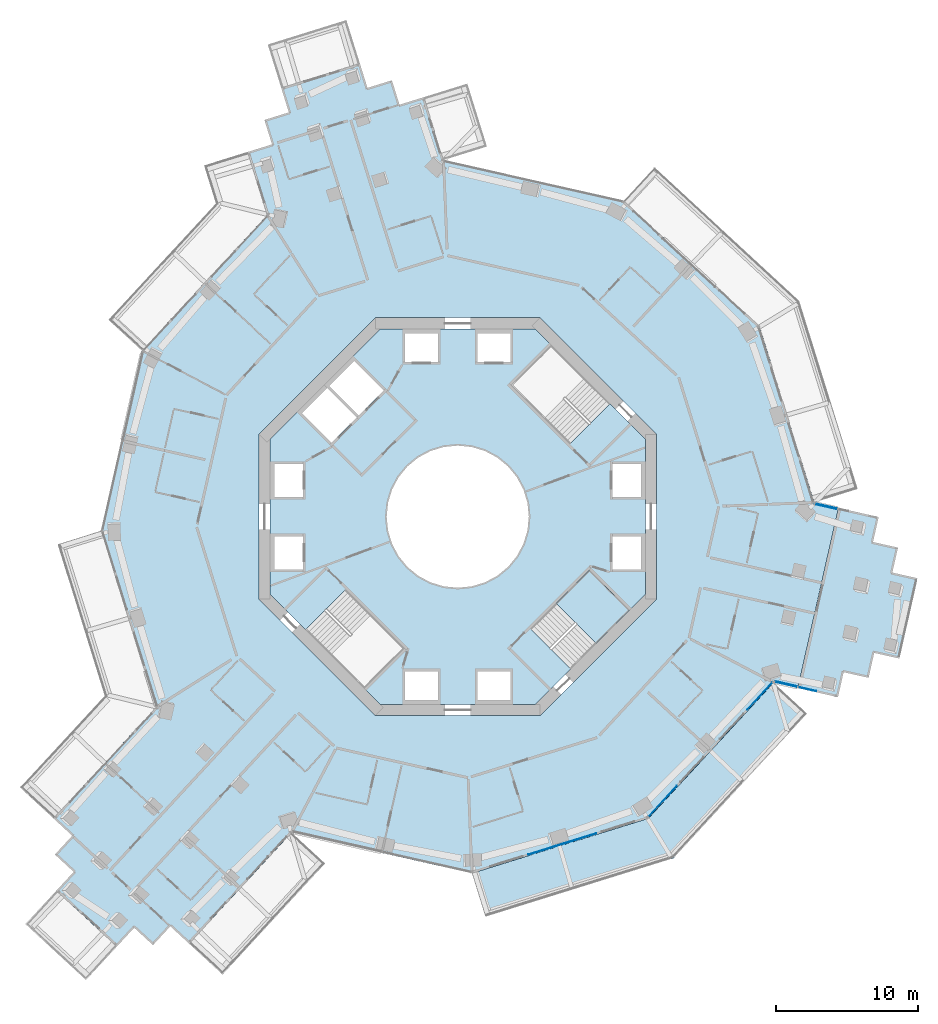
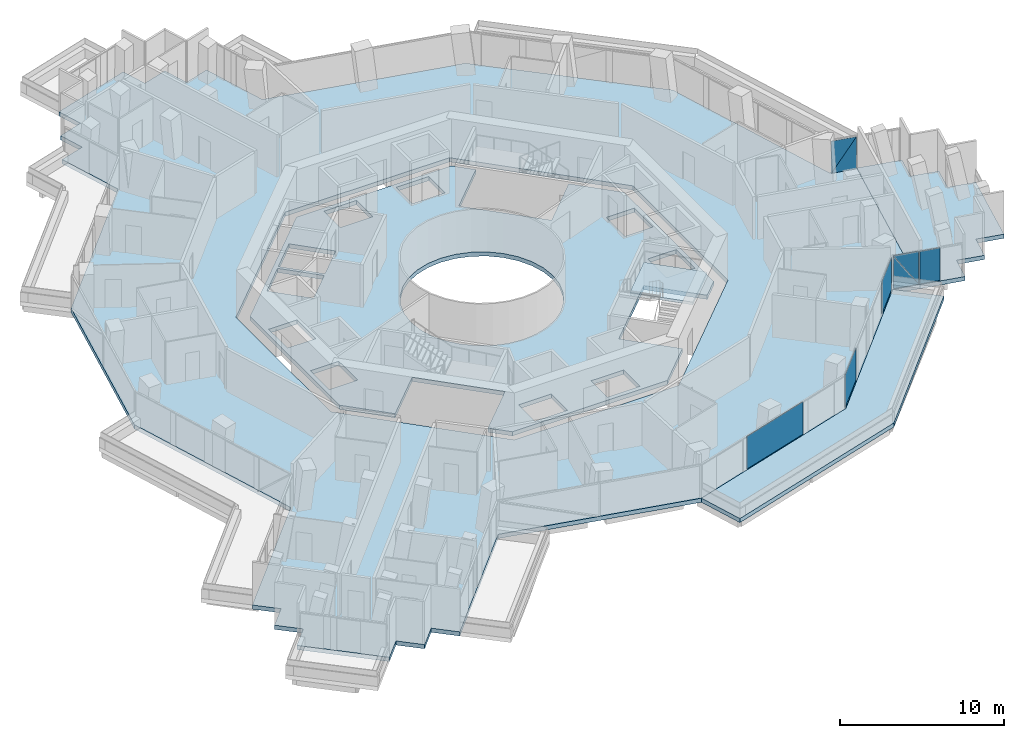
# One storey, part 13 of 25: 8 plates, 5 slabs, 5 elements without a shape of their own.
"""IFC4 building model written with IfcOpenShell, lengths in metres."""

import ifcopenshell
import ifcopenshell.guid

model = None  # the IFC model being written
_history = None  # IfcOwnerHistory: only IFC2X3 demands one
_inside = {}  # id of a spatial element -> (the spatial element, [elements in it])
_under = {}  # id of a project, library or spatial element -> (it, [spatial elements below it])
_declared = {}  # id of a project -> (the project, [libraries it declares])
_typed = {}  # id of a type object -> (the type object, [elements of that type])
_made_of = {}  # id of a material, layer set ... -> (it, [elements and type objects made of it])


def new_model(schema):
    """Start an empty IFC model of exactly this schema.

    Asked for "IFC4X3", IfcOpenShell would pick the latest addendum, in which some entities
    have other attributes; the version numbers below select the first issue.
    IFC2X3 requires an IfcOwnerHistory on every rooted entity: one is made here for all.
    """
    global model, _history
    if schema == "IFC4X3":
        model = ifcopenshell.file(schema_version=(4, 3, 0, 0))
    else:
        model = ifcopenshell.file(schema=schema)
    _inside.clear()
    _under.clear()
    _declared.clear()
    _typed.clear()
    _made_of.clear()
    _history = None
    if model.schema == "IFC2X3":
        org = make("IfcOrganization", Name="unknown")
        user = make(
            "IfcPersonAndOrganization",
            ThePerson=make("IfcPerson", FamilyName="unknown"),
            TheOrganization=org,
        )
        app = make(
            "IfcApplication",
            ApplicationDeveloper=org,
            Version="unknown",
            ApplicationFullName="unknown",
            ApplicationIdentifier="unknown",
        )
        _history = make(
            "IfcOwnerHistory",
            OwningUser=user,
            OwningApplication=app,
            ChangeAction="ADDED",
            CreationDate=0,
        )
    return model


def make(cls, **values):
    """One entity of the class cls with the attributes given. An attribute that is None is left unset."""
    return model.create_entity(
        cls, **{name: value for name, value in values.items() if value is not None}
    )


def rooted(cls, **values):
    """An entity with a GlobalId (a new one), such as an element, a storey or a relation."""
    return make(cls, GlobalId=ifcopenshell.guid.new(), OwnerHistory=_history, **values)


def si_unit(unit_type, name, prefix=None):
    """IfcSIUnit, for example si_unit("LENGTHUNIT", "METRE", prefix="MILLI")."""
    return make("IfcSIUnit", UnitType=unit_type, Prefix=prefix, Name=name)


def assignment(units):
    """IfcUnitAssignment: the units of a project."""
    return None if units is None else make("IfcUnitAssignment", Units=units)


def point(xyz):
    """IfcCartesianPoint."""
    return None if xyz is None else make("IfcCartesianPoint", Coordinates=xyz)


def direction(xyz):
    """IfcDirection."""
    return None if xyz is None else make("IfcDirection", DirectionRatios=xyz)


def frame(location, z_axis=None, x_axis=None):
    """IfcAxis2Placement3D, a coordinate frame: its origin and axes. An axis left out is left unset."""
    return make(
        "IfcAxis2Placement3D",
        Location=point(location),
        Axis=direction(z_axis),
        RefDirection=direction(x_axis),
    )


def frame_2d(location, x_axis=None):
    """IfcAxis2Placement2D, a coordinate frame in the plane: its origin and x axis."""
    return make(
        "IfcAxis2Placement2D", Location=point(location), RefDirection=direction(x_axis)
    )


def origin():
    """The frame at (0, 0, 0) with its axes left unset."""
    return frame((0.0, 0.0, 0.0))


def origin_2d():
    """The frame at (0, 0) in the plane with its x axis left unset."""
    return frame_2d((0.0, 0.0))


def place(relative_to, where):
    """IfcLocalPlacement: puts the frame where relative to a parent placement (None: the world)."""
    return make(
        "IfcLocalPlacement", PlacementRelTo=relative_to, RelativePlacement=where
    )


def context(
    kind, dimensions, precision=None, world=None, true_north=None, identifier=None
):
    """IfcGeometricRepresentationContext, for example the 3D "Model" context."""
    return make(
        "IfcGeometricRepresentationContext",
        ContextIdentifier=identifier,
        ContextType=kind,
        CoordinateSpaceDimension=dimensions,
        Precision=precision,
        WorldCoordinateSystem=world,
        TrueNorth=true_north,
    )


def subcontext(parent, identifier, kind, view, scale=None):
    """IfcGeometricRepresentationSubContext, for example "Body" below "Model"."""
    return make(
        "IfcGeometricRepresentationSubContext",
        ContextIdentifier=identifier,
        ContextType=kind,
        ParentContext=parent,
        TargetScale=scale,
        TargetView=view,
    )


def project(units=None, contexts=None):
    """IfcProject with its units and contexts."""
    return rooted(
        "IfcProject",
        Name="project",
        RepresentationContexts=contexts,
        UnitsInContext=assignment(units),
    )


def spatial(cls, under=None, at=None, **own):
    """A site, building, storey or space (cls), placed at a placement, below another one or the project."""
    s = rooted(cls, ObjectPlacement=at, **own)
    if under is not None:
        _under.setdefault(under.id(), (under, []))[1].append(s)
    return s


def polyline(points):
    """IfcPolyline through the points."""
    return make("IfcPolyline", Points=[point(p) for p in points])


def profile(cls, at=None, kind="AREA", **sizes):
    """A parametric profile (cls). Its sizes go by their IFC names, for example OverallWidth=200.0."""
    return make(cls, ProfileType=kind, Position=at, **sizes)


def rectangle(**sizes):
    """IfcRectangleProfileDef."""
    return profile("IfcRectangleProfileDef", **sizes)


def outline(outer, holes=None, kind="AREA"):
    """IfcArbitraryClosedProfileDef: a profile drawn as a closed curve; with holes, ...WithVoids."""
    if holes is None:
        return make("IfcArbitraryClosedProfileDef", ProfileType=kind, OuterCurve=outer)
    return make(
        "IfcArbitraryProfileDefWithVoids",
        ProfileType=kind,
        OuterCurve=outer,
        InnerCurves=holes,
    )


def extrude(swept, where, along, depth):
    """IfcExtrudedAreaSolid: the profile swept, set in the frame where, extruded along a direction by depth."""
    return make(
        "IfcExtrudedAreaSolid",
        SweptArea=swept,
        Position=where,
        ExtrudedDirection=direction(along),
        Depth=depth,
    )


def shape(context_of_items, identifier, shape_type, items):
    """IfcShapeRepresentation: the items that make up one representation, for example the "Body"."""
    return make(
        "IfcShapeRepresentation",
        ContextOfItems=context_of_items,
        RepresentationIdentifier=identifier,
        RepresentationType=shape_type,
        Items=items,
    )


def material(Name=None, Category=None):
    """IfcMaterial."""
    return make("IfcMaterial", Name=Name, Category=Category)


def layer(
    of_material, thickness, ventilated=None, Name=None, Category=None, Priority=None
):
    """IfcMaterialLayer: one layer of a wall or slab, of a material (None: an air gap)."""
    return make(
        "IfcMaterialLayer",
        Material=of_material,
        LayerThickness=thickness,
        IsVentilated=ventilated,
        Name=Name,
        Category=Category,
        Priority=Priority,
    )


def layer_set(layers, Name=None):
    """IfcMaterialLayerSet."""
    return make("IfcMaterialLayerSet", MaterialLayers=layers, LayerSetName=Name)


def made_of(thing, what):
    """Note that an element or type object is made of a material, layer set ...; save() writes the relation."""
    if what is not None:
        _made_of.setdefault(what.id(), (what, []))[1].append(thing)
    return thing


def type_object(cls, material=None, **own):
    """A type object (cls), such as IfcWallType, which elements share."""
    return made_of(rooted(cls, **own), material)


def element(
    cls,
    number,
    at=None,
    inside=None,
    cuts=None,
    type_object=None,
    material=None,
    context=None,
    identifier="Body",
    shape_type=None,
    held_by="IfcProductDefinitionShape",
    body=None,
    shapes=None,
    **own,
):
    """One element of the class cls, such as IfcWall. Its Tag is "e" and its number.

    at: its placement. inside: the storey or other place that contains it. cuts: it is an
    opening in that element (IfcRelVoidsElement). A single representation is given by context,
    identifier, shape_type and body (its items); several are given by shapes. held_by: the class
    of the entity that holds the representations. save() writes the other relations.
    """
    e = rooted(cls, Tag="e%d" % number, ObjectPlacement=at, **own)
    if body is not None:
        shapes = [shape(context, identifier, shape_type, body)]
    if shapes is not None:
        e.Representation = make(held_by, Representations=shapes)
    if inside is not None:
        _inside.setdefault(inside.id(), (inside, []))[1].append(e)
    if cuts is not None:
        rooted(
            "IfcRelVoidsElement", RelatingBuildingElement=cuts, RelatedOpeningElement=e
        )
    if type_object is not None:
        _typed.setdefault(type_object.id(), (type_object, []))[1].append(e)
    return made_of(e, material)


def aggregate(whole, parts):
    """IfcRelAggregates: a whole, such as a stair, and the parts it consists of."""
    return rooted("IfcRelAggregates", RelatingObject=whole, RelatedObjects=parts)


def save(model, path):
    """Write the relations noted so far, then the file.

    IfcRelAggregates (storeys below a building ...), IfcRelContainedInSpatialStructure (elements
    in a storey), IfcRelDefinesByType, IfcRelAssociatesMaterial and IfcRelDeclares: one each for
    every whole, place, type object, material and project.
    """
    for whole, parts in _under.values():
        aggregate(whole, parts)
    for where, things in _inside.values():
        rooted(
            "IfcRelContainedInSpatialStructure",
            RelatedElements=things,
            RelatingStructure=where,
        )
    for kind, things in _typed.values():
        rooted("IfcRelDefinesByType", RelatedObjects=things, RelatingType=kind)
    for what, things in _made_of.values():
        rooted("IfcRelAssociatesMaterial", RelatedObjects=things, RelatingMaterial=what)
    for by, libraries in _declared.values():
        rooted("IfcRelDeclares", RelatingContext=by, RelatedDefinitions=libraries)
    model.write(path)


model = new_model("IFC4")

# Units and contexts
model_context = context("Model", 3, precision=1e-05, world=origin(), true_north=direction((0.0, 1.0)))
body_context = subcontext(model_context, "Body", "Model", "MODEL_VIEW")
ifc_project = project(units=[si_unit("LENGTHUNIT", "METRE"), si_unit("AREAUNIT", "SQUARE_METRE"), si_unit("VOLUMEUNIT", "CUBIC_METRE"), si_unit("PLANEANGLEUNIT", "RADIAN"), si_unit("MASSUNIT", "GRAM", prefix="KILO")], contexts=[model_context])

# Site, building, storey
site_placement = place(None, origin())
site = spatial("IfcSite", under=ifc_project, at=site_placement, CompositionType="ELEMENT")
building_placement = place(site_placement, origin())
building = spatial("IfcBuilding", under=site, at=building_placement, Name="Verdalira Terraces Hotel", CompositionType="ELEMENT")
storey_placement = place(building_placement, frame((0.0, 0.0, 103.5)))
storey = spatial("IfcBuildingStorey", under=building, at=storey_placement, Name="L24", CompositionType="ELEMENT", Elevation=103.5)

# Slab
ifc_material_1 = material(Name="Precast concrete C40/50", Category="concrete")
ifc_layer_1 = layer(ifc_material_1, 0.31005859375)
ifc_layer_set_1 = layer_set([ifc_layer_1], Name="Balcony deck 310")
slab_type_1 = type_object("IfcSlabType", Name="Balcony deck 310", PredefinedType="FLOOR", material=ifc_layer_set_1)
slab_1_placement = place(storey_placement, frame((0.0, 0.0, -0.310059)))
element("IfcSlab", 1, at=slab_1_placement, inside=storey, type_object=slab_type_1, Name="Balcony deck", PredefinedType="FLOOR", context=body_context, shape_type="SweptSolid", body=[
    extrude(outline(polyline([(24.582764, -13.852783), (22.231689, -11.681885), (13.412354, -21.232666), (0.999023, -25.094238), (1.949707, -28.149658), (15.181641, -24.033447), (24.582764, -13.852783)])), origin(), (0.0, 0.0, 1.0), 0.310059),
])

# Curtain wall, plate
ifc_material_2 = material(Name="Clear glass", Category="glass")
ifc_layer_2 = layer(ifc_material_2, 0.14990234375)
ifc_layer_set_2 = layer_set([ifc_layer_2], Name="CW1 curtain wall")
curtain_wall_type_1 = type_object("IfcCurtainWallType", Name="CW1 curtain wall", PredefinedType="NOTDEFINED", material=ifc_layer_set_2)
curtain_wall_1_placement = place(storey_placement, origin())
curtain_wall_1 = element("IfcCurtainWall", 2, at=curtain_wall_1_placement, inside=storey, type_object=curtain_wall_type_1, Name="CW1 curtain wall L24 edge 26", PredefinedType="NOTDEFINED")
ifc_material_3 = material(Name="Clear glass", Category="glass")
ifc_layer_3 = layer(ifc_material_3, 0.028076171875)
ifc_layer_set_3 = layer_set([ifc_layer_3], Name="CW1 glass unit 28")
plate_type_1 = type_object("IfcPlateType", Name="CW1 glass unit 28", PredefinedType="CURTAIN_PANEL", material=ifc_layer_set_3)
plate_1_placement = place(storey_placement, frame((7.354248, -23.038574, 0.0), z_axis=(0.0, 0.0, 1.0), x_axis=(0.954864545, 0.297041582, 0.0)))
plate_1 = element("IfcPlate", 3, at=plate_1_placement, type_object=plate_type_1, Name="CW1 glass unit", PredefinedType="CURTAIN_PANEL", context=body_context, shape_type="SweptSolid", body=[
    extrude(rectangle(XDim=5.021729, YDim=0.028076, at=origin_2d()), origin(), (0.0, 0.0, 1.0), 2.425049),
])
aggregate(curtain_wall_1, [plate_1])

# Curtain wall, plates
curtain_wall_2_placement = place(storey_placement, origin())
curtain_wall_2 = element("IfcCurtainWall", 4, at=curtain_wall_2_placement, inside=storey, type_object=curtain_wall_type_1, Name="CW1 curtain wall L24 edge 27", PredefinedType="NOTDEFINED")
plate_2_placement = place(storey_placement, frame((14.417236, -20.033691, 0.0), z_axis=(0.0, 0.0, 1.0), x_axis=(0.678416162, 0.734677828, 0.0)))
plate_2 = element("IfcPlate", 5, at=plate_2_placement, type_object=plate_type_1, Name="CW1 glass unit", PredefinedType="CURTAIN_PANEL", context=body_context, shape_type="SweptSolid", body=[
    extrude(rectangle(XDim=2.924805, YDim=0.028076, at=origin_2d()), origin(), (0.0, 0.0, 1.0), 2.425049),
])
plate_3_placement = place(storey_placement, frame((21.252441, -12.631836, 0.0), z_axis=(0.0, 0.0, 1.0), x_axis=(0.678416162, 0.734677828, 0.0)))
plate_3 = element("IfcPlate", 6, at=plate_3_placement, type_object=plate_type_1, Name="CW1 glass unit", PredefinedType="CURTAIN_PANEL", context=body_context, shape_type="SweptSolid", body=[
    extrude(rectangle(XDim=2.604492, YDim=0.028076, at=origin_2d()), origin(), (0.0, 0.0, 1.0), 2.425049),
])
aggregate(curtain_wall_2, [plate_2, plate_3])

ifc_material_4 = material(Name="Clear glass", Category="glass")
ifc_layer_4 = layer(ifc_material_4, 0.14990234375)
ifc_layer_set_4 = layer_set([ifc_layer_4], Name="CW2 curtain wall")
curtain_wall_type_2 = type_object("IfcCurtainWallType", Name="CW2 curtain wall", PredefinedType="NOTDEFINED", material=ifc_layer_set_4)
curtain_wall_3_placement = place(storey_placement, origin())
curtain_wall_3 = element("IfcCurtainWall", 7, at=curtain_wall_3_placement, inside=storey, type_object=curtain_wall_type_2, Name="CW2 curtain wall L24 edge 28", PredefinedType="NOTDEFINED")
ifc_material_5 = material(Name="Clear glass", Category="glass")
ifc_layer_5 = layer(ifc_material_5, 0.031982421875)
ifc_layer_set_5 = layer_set([ifc_layer_5], Name="CW2 glass unit 32")
plate_type_2 = type_object("IfcPlateType", Name="CW2 glass unit 32", PredefinedType="CURTAIN_PANEL", material=ifc_layer_set_5)
plate_4_placement = place(storey_placement, frame((23.108398, -11.786377, 1.212402), z_axis=(-0.220186717, -0.975457744, 0.0), x_axis=(0.975457744, -0.220186717, 0.0)))
plate_4 = element("IfcPlate", 8, at=plate_4_placement, type_object=plate_type_2, Name="CW2 glass unit", PredefinedType="CURTAIN_PANEL", context=body_context, shape_type="SweptSolid", body=[
    extrude(outline(polyline([(-0.80835, -1.212402), (0.80835, -1.212402), (-0.80835, 1.212402), (-0.80835, -1.212402)])), origin(), (0.0, 0.0, 1.0), 0.031982),
])
plate_5_placement = place(storey_placement, frame((23.115723, -11.75415, 1.212402), z_axis=(-0.220186717, -0.975457744, 0.0), x_axis=(0.975457744, -0.220186717, 0.0)))
plate_5 = element("IfcPlate", 9, at=plate_5_placement, type_object=plate_type_2, Name="CW2 glass unit", PredefinedType="CURTAIN_PANEL", context=body_context, shape_type="SweptSolid", body=[
    extrude(outline(polyline([(0.80835, -1.212402), (0.80835, 1.212402), (-0.80835, 1.212402), (0.80835, -1.212402)])), origin(), (0.0, 0.0, 1.0), 0.031982),
])
plate_6_placement = place(storey_placement, frame((24.592773, -12.137939, 0.0), z_axis=(0.0, 0.0, 1.0), x_axis=(0.975457744, -0.220186717, 0.0)))
plate_6 = element("IfcPlate", 10, at=plate_6_placement, type_object=plate_type_2, Name="CW2 glass unit", PredefinedType="CURTAIN_PANEL", context=body_context, shape_type="SweptSolid", body=[
    extrude(rectangle(XDim=1.293457, YDim=0.031982, at=origin_2d()), origin(), (0.0, 0.0, 1.0), 2.425049),
])
aggregate(curtain_wall_3, [plate_4, plate_5, plate_6])

curtain_wall_4_placement = place(storey_placement, origin())
curtain_wall_4 = element("IfcCurtainWall", 11, at=curtain_wall_4_placement, inside=storey, type_object=curtain_wall_type_2, Name="CW2 curtain wall L24 edge 38", PredefinedType="NOTDEFINED")
plate_7_placement = place(storey_placement, frame((25.931152, 0.717041, 1.212402), z_axis=(0.220186717, 0.975457744, 0.0), x_axis=(-0.975457744, 0.220186717, 0.0)))
plate_7 = element("IfcPlate", 12, at=plate_7_placement, type_object=plate_type_2, Name="CW2 glass unit", PredefinedType="CURTAIN_PANEL", context=body_context, shape_type="SweptSolid", body=[
    extrude(outline(polyline([(-0.80835, -1.212402), (0.80835, -1.212402), (-0.80835, 1.212402), (-0.80835, -1.212402)])), origin(), (0.0, 0.0, 1.0), 0.031982),
])
plate_8_placement = place(storey_placement, frame((25.923828, 0.684814, 1.212402), z_axis=(0.220186717, 0.975457744, 0.0), x_axis=(-0.975457744, 0.220186717, 0.0)))
plate_8 = element("IfcPlate", 13, at=plate_8_placement, type_object=plate_type_2, Name="CW2 glass unit", PredefinedType="CURTAIN_PANEL", context=body_context, shape_type="SweptSolid", body=[
    extrude(outline(polyline([(0.80835, -1.212402), (0.80835, 1.212402), (-0.80835, 1.212402), (0.80835, -1.212402)])), origin(), (0.0, 0.0, 1.0), 0.031982),
])
aggregate(curtain_wall_4, [plate_7, plate_8])

# Slab
ifc_material_6 = material(Name="Concrete C40", Category="concrete")
ifc_layer_6 = layer(ifc_material_6, 0.31005859375)
ifc_layer_set_6 = layer_set([ifc_layer_6], Name="Core floor slab 310 mm")
slab_type_2 = type_object("IfcSlabType", Name="Core floor slab 310 mm", PredefinedType="FLOOR", material=ifc_layer_set_6)
slab_2_placement = place(storey_placement, frame((0.0, 0.0, -0.310059)))
element("IfcSlab", 14, at=slab_2_placement, inside=storey, type_object=slab_type_2, Name="L24 core floor", PredefinedType="FLOOR", context=body_context, shape_type="SweptSolid", body=[
    extrude(outline(polyline([(-5.467529, 13.199951), (5.467529, 13.199951), (6.562012, 12.105713), (3.719482, 9.263184), (7.869629, 5.112793), (10.712402, 7.955322), (13.199951, 5.467529), (13.199951, -5.467529), (12.105713, -6.562012), (9.263184, -3.719482), (5.112793, -7.869629), (7.955322, -10.712402), (5.467529, -13.199951), (-5.467529, -13.199951), (-6.562012, -12.105713), (-3.719482, -9.263184), (-7.869629, -5.112793), (-10.712402, -7.955322), (-13.199951, -5.467529), (-13.199951, 5.467529), (-5.467529, 13.199951)]), holes=[polyline([(12.899902, -3.699951), (12.899902, -1.399902), (10.899902, -1.399902), (10.899902, -3.699951), (12.899902, -3.699951)]), polyline([(12.899902, 1.399902), (12.899902, 3.699951), (10.899902, 3.699951), (10.899902, 1.399902), (12.899902, 1.399902)]), polyline([(1.399902, 10.899902), (3.699951, 10.899902), (3.699951, 12.899902), (1.399902, 12.899902), (1.399902, 10.899902)]), polyline([(-3.699951, 10.899902), (-1.399902, 10.899902), (-1.399902, 12.899902), (-3.699951, 12.899902), (-3.699951, 10.899902)]), polyline([(-12.899902, 3.699951), (-12.899902, 1.399902), (-10.899902, 1.399902), (-10.899902, 3.699951), (-12.899902, 3.699951)]), polyline([(-12.899902, -1.399902), (-12.899902, -3.699951), (-10.899902, -3.699951), (-10.899902, -1.399902), (-12.899902, -1.399902)]), polyline([(-1.399902, -10.899902), (-3.699951, -10.899902), (-3.699951, -12.899902), (-1.399902, -12.899902), (-1.399902, -10.899902)]), polyline([(3.699951, -10.899902), (1.399902, -10.899902), (1.399902, -12.899902), (3.699951, -12.899902), (3.699951, -10.899902)]), polyline([(-9.051025, 9.192383), (-6.965088, 7.106445), (-5.197266, 8.874268), (-7.283203, 10.960205), (-9.051025, 9.192383)]), polyline([(-9.192383, 9.051025), (-10.960205, 7.283203), (-8.874268, 5.197266), (-7.106445, 6.965088), (-9.192383, 9.051025)]), polyline([(3.5354, 3.5354), (2.777832, 4.157227), (1.91333, 4.619385), (0.975586, 4.903809), (0.0, 5.0), (-0.975586, 4.903809), (-1.91333, 4.619385), (-2.777832, 4.157227), (-3.5354, 3.5354), (-4.157227, 2.777832), (-4.619385, 1.91333), (-4.903809, 0.975586), (-5.0, 0.0), (-4.903809, -0.975586), (-4.619385, -1.91333), (-4.157227, -2.777832), (-3.5354, -3.5354), (-2.777832, -4.157227), (-1.91333, -4.619385), (-0.975586, -4.903809), (0.0, -5.0), (0.975586, -4.903809), (1.91333, -4.619385), (2.777832, -4.157227), (3.5354, -3.5354), (4.157227, -2.777832), (4.619385, -1.91333), (4.903809, -0.975586), (5.0, 0.0), (4.903809, 0.975586), (4.619385, 1.91333), (4.157227, 2.777832), (3.5354, 3.5354)])]), origin(), (0.0, 0.0, 1.0), 0.310059),
])

# Stair, slab
ifc_material_7 = material(Name="Concrete C40", Category="concrete")
stair_type = type_object("IfcStairType", Name="Core stair 20 risers 1950 mm wide", PredefinedType="HALF_TURN_STAIR", material=ifc_material_7)
stair_placement = place(storey_placement, origin())
stair = element("IfcStair", 15, at=stair_placement, inside=storey, type_object=stair_type, Name="L24 Exit stair ST3", PredefinedType="HALF_TURN_STAIR")
ifc_material_8 = material(Name="Concrete C40", Category="concrete")
ifc_layer_7 = layer(ifc_material_8, 0.199951171875)
ifc_layer_set_7 = layer_set([ifc_layer_7], Name="Core stair landing 200 mm")
slab_type_3 = type_object("IfcSlabType", Name="Core stair landing 200 mm", PredefinedType="LANDING", material=ifc_layer_set_7)
slab_3_placement = place(storey_placement, frame((0.0, 0.0, 1.550049)))
slab_3 = element("IfcSlab", 16, at=slab_3_placement, type_object=slab_type_3, Name="ST3 landing 1", PredefinedType="LANDING", context=body_context, shape_type="SweptSolid", body=[
    extrude(outline(polyline([(9.736572, -8.931152), (12.091553, -6.576172), (9.263184, -3.747559), (6.907959, -6.102783), (9.736572, -8.931152)])), origin(), (0.0, 0.0, 1.0), 0.199951),
])
aggregate(stair, [slab_3])

# Slabs
ifc_material_9 = material(Name="Concrete C40", Category="concrete")
ifc_layer_8 = layer(ifc_material_9, 0.31005859375)
ifc_layer_set_8 = layer_set([ifc_layer_8], Name="Floor slab 310 C40")
slab_type_4 = type_object("IfcSlabType", Name="Floor slab 310 C40", PredefinedType="FLOOR", material=ifc_layer_set_8)
slab_4_placement = place(storey_placement, frame((0.0, 0.0, -0.310059)))
element("IfcSlab", 17, at=slab_4_placement, inside=storey, type_object=slab_type_4, Name="Floor slab L24", PredefinedType="FLOOR", context=body_context, shape_type="SweptSolid", body=[
    extrude(outline(polyline([(13.412354, -21.232666), (22.231689, -11.681885), (23.930176, -12.065186), (26.79248, 0.615723), (25.094238, 0.999023), (21.232666, 13.412354), (11.681885, 22.231689), (-0.999023, 25.094238), (-2.37793, 29.526367), (-4.09668, 28.991699), (-4.631348, 30.710449), (-6.350098, 30.175781), (-6.884766, 31.894531), (-12.423096, 30.171631), (-11.888184, 28.452881), (-13.606934, 27.918213), (-13.07251, 26.199463), (-14.791016, 25.664795), (-13.412354, 21.232666), (-22.231689, 11.681885), (-25.094238, -0.999023), (-21.232666, -13.412354), (-28.452148, -21.230713), (-27.129639, -22.45166), (-28.35083, -23.77417), (-27.02832, -24.995361), (-28.249512, -26.317627), (-23.988525, -30.252441), (-22.767334, -28.930176), (-21.444824, -30.151123), (-20.223633, -28.828857), (-18.901367, -30.050049), (-11.681885, -22.231689), (0.999023, -25.094238), (13.412354, -21.232666)]), holes=[polyline([(5.799072, 14.0), (14.0, 5.799072), (14.0, -5.799072), (5.799072, -14.0), (-5.799072, -14.0), (-14.0, -5.799072), (-14.0, 5.799072), (-5.799072, 14.0), (5.799072, 14.0)])]), origin(), (0.0, 0.0, 1.0), 0.310059),
])
ifc_material_10 = material(Name="Concrete C40", Category="concrete")
ifc_layer_9 = layer(ifc_material_10, 0.31005859375)
ifc_layer_set_9 = layer_set([ifc_layer_9], Name="Loggia floor deck 310 C40")
slab_type_5 = type_object("IfcSlabType", Name="Loggia floor deck 310 C40", PredefinedType="FLOOR", material=ifc_layer_set_9)
slab_5_placement = place(storey_placement, frame((0.0, 0.0, -0.310059)))
element("IfcSlab", 18, at=slab_5_placement, inside=storey, type_object=slab_type_5, Name="Loggia deck L24", PredefinedType="FLOOR", context=body_context, shape_type="SweptSolid", body=[
    extrude(outline(polyline([(29.621826, -0.022949), (26.793213, 0.615479), (23.930664, -12.065186), (26.759521, -12.703857), (27.156006, -10.947998), (28.911621, -11.344482), (29.308105, -9.588623), (31.063721, -9.984863), (32.34082, -4.327148), (30.585205, -3.930908), (30.981445, -2.175049), (29.225586, -1.778809), (29.621826, -0.022949)])), origin(), (0.0, 0.0, 1.0), 0.310059),
])

save(model, "model.ifc")
